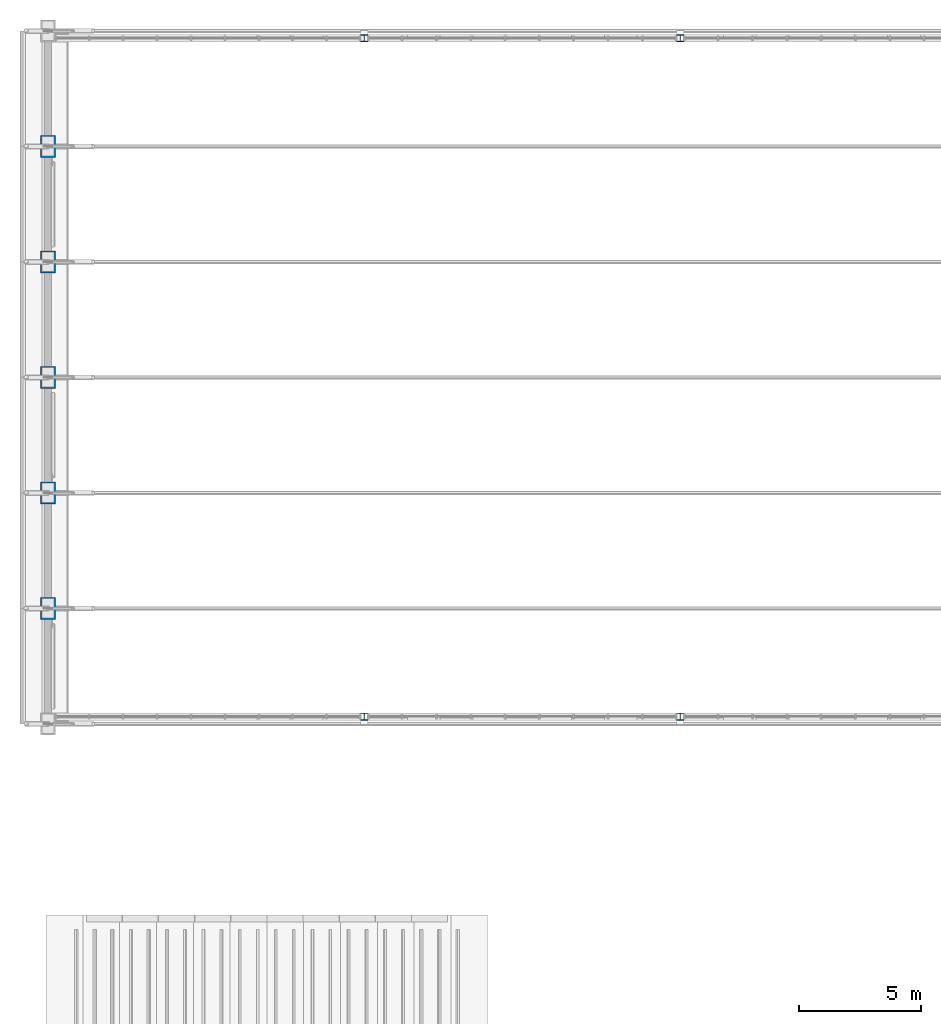
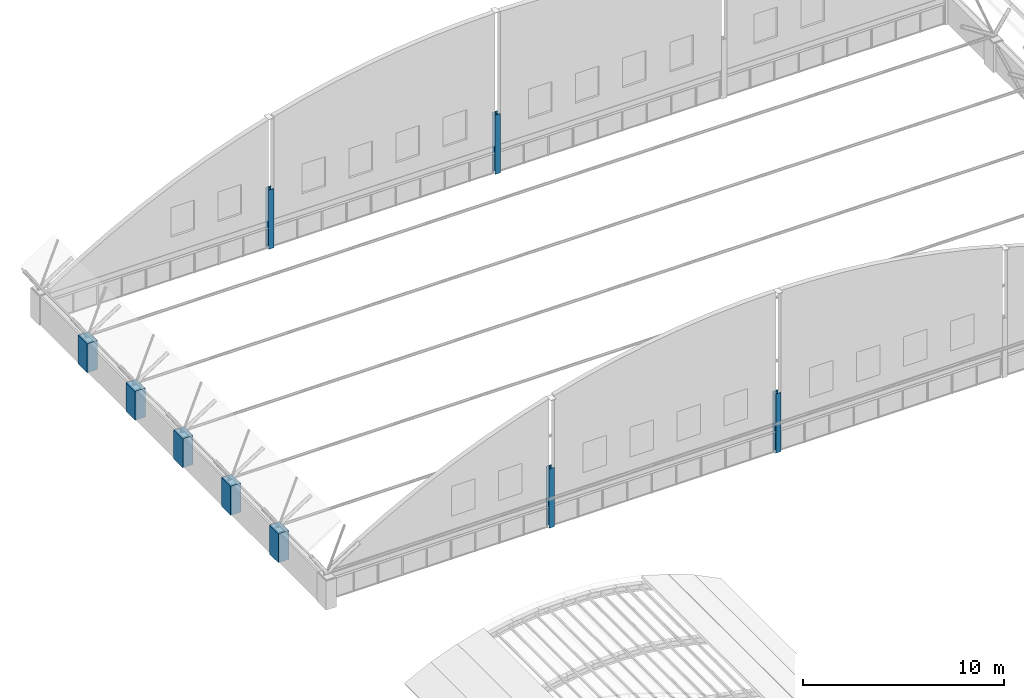
# One storey, part 2 of 65: 9 columns.
"""IFC4 building model written with IfcOpenShell, lengths in metres."""

import ifcopenshell
import ifcopenshell.guid

model = None  # the IFC model being written
_history = None  # IfcOwnerHistory: only IFC2X3 demands one
_inside = {}  # id of a spatial element -> (the spatial element, [elements in it])
_under = {}  # id of a project, library or spatial element -> (it, [spatial elements below it])
_declared = {}  # id of a project -> (the project, [libraries it declares])
_typed = {}  # id of a type object -> (the type object, [elements of that type])
_made_of = {}  # id of a material, layer set ... -> (it, [elements and type objects made of it])


def new_model(schema):
    """Start an empty IFC model of exactly this schema.

    Asked for "IFC4X3", IfcOpenShell would pick the latest addendum, in which some entities
    have other attributes; the version numbers below select the first issue.
    IFC2X3 requires an IfcOwnerHistory on every rooted entity: one is made here for all.
    """
    global model, _history
    if schema == "IFC4X3":
        model = ifcopenshell.file(schema_version=(4, 3, 0, 0))
    else:
        model = ifcopenshell.file(schema=schema)
    _inside.clear()
    _under.clear()
    _declared.clear()
    _typed.clear()
    _made_of.clear()
    _history = None
    if model.schema == "IFC2X3":
        org = make("IfcOrganization", Name="unknown")
        user = make(
            "IfcPersonAndOrganization",
            ThePerson=make("IfcPerson", FamilyName="unknown"),
            TheOrganization=org,
        )
        app = make(
            "IfcApplication",
            ApplicationDeveloper=org,
            Version="unknown",
            ApplicationFullName="unknown",
            ApplicationIdentifier="unknown",
        )
        _history = make(
            "IfcOwnerHistory",
            OwningUser=user,
            OwningApplication=app,
            ChangeAction="ADDED",
            CreationDate=0,
        )
    return model


def make(cls, **values):
    """One entity of the class cls with the attributes given. An attribute that is None is left unset."""
    return model.create_entity(
        cls, **{name: value for name, value in values.items() if value is not None}
    )


def rooted(cls, **values):
    """An entity with a GlobalId (a new one), such as an element, a storey or a relation."""
    return make(cls, GlobalId=ifcopenshell.guid.new(), OwnerHistory=_history, **values)


def si_unit(unit_type, name, prefix=None):
    """IfcSIUnit, for example si_unit("LENGTHUNIT", "METRE", prefix="MILLI")."""
    return make("IfcSIUnit", UnitType=unit_type, Prefix=prefix, Name=name)


def assignment(units):
    """IfcUnitAssignment: the units of a project."""
    return None if units is None else make("IfcUnitAssignment", Units=units)


def point(xyz):
    """IfcCartesianPoint."""
    return None if xyz is None else make("IfcCartesianPoint", Coordinates=xyz)


def direction(xyz):
    """IfcDirection."""
    return None if xyz is None else make("IfcDirection", DirectionRatios=xyz)


def frame(location, z_axis=None, x_axis=None):
    """IfcAxis2Placement3D, a coordinate frame: its origin and axes. An axis left out is left unset."""
    return make(
        "IfcAxis2Placement3D",
        Location=point(location),
        Axis=direction(z_axis),
        RefDirection=direction(x_axis),
    )


def frame_2d(location, x_axis=None):
    """IfcAxis2Placement2D, a coordinate frame in the plane: its origin and x axis."""
    return make(
        "IfcAxis2Placement2D", Location=point(location), RefDirection=direction(x_axis)
    )


def origin():
    """The frame at (0, 0, 0) with its axes left unset."""
    return frame((0.0, 0.0, 0.0))


def origin_2d():
    """The frame at (0, 0) in the plane with its x axis left unset."""
    return frame_2d((0.0, 0.0))


def place(relative_to, where):
    """IfcLocalPlacement: puts the frame where relative to a parent placement (None: the world)."""
    return make(
        "IfcLocalPlacement", PlacementRelTo=relative_to, RelativePlacement=where
    )


def context(
    kind, dimensions, precision=None, world=None, true_north=None, identifier=None
):
    """IfcGeometricRepresentationContext, for example the 3D "Model" context."""
    return make(
        "IfcGeometricRepresentationContext",
        ContextIdentifier=identifier,
        ContextType=kind,
        CoordinateSpaceDimension=dimensions,
        Precision=precision,
        WorldCoordinateSystem=world,
        TrueNorth=true_north,
    )


def subcontext(parent, identifier, kind, view, scale=None):
    """IfcGeometricRepresentationSubContext, for example "Body" below "Model"."""
    return make(
        "IfcGeometricRepresentationSubContext",
        ContextIdentifier=identifier,
        ContextType=kind,
        ParentContext=parent,
        TargetScale=scale,
        TargetView=view,
    )


def project(units=None, contexts=None):
    """IfcProject with its units and contexts."""
    return rooted(
        "IfcProject",
        Name="project",
        RepresentationContexts=contexts,
        UnitsInContext=assignment(units),
    )


def spatial(cls, under=None, at=None, **own):
    """A site, building, storey or space (cls), placed at a placement, below another one or the project."""
    s = rooted(cls, ObjectPlacement=at, **own)
    if under is not None:
        _under.setdefault(under.id(), (under, []))[1].append(s)
    return s


def profile(cls, at=None, kind="AREA", **sizes):
    """A parametric profile (cls). Its sizes go by their IFC names, for example OverallWidth=200.0."""
    return make(cls, ProfileType=kind, Position=at, **sizes)


def rectangle(**sizes):
    """IfcRectangleProfileDef."""
    return profile("IfcRectangleProfileDef", **sizes)


def i_section(**sizes):
    """IfcIShapeProfileDef."""
    return profile("IfcIShapeProfileDef", **sizes)


def extrude(swept, where, along, depth):
    """IfcExtrudedAreaSolid: the profile swept, set in the frame where, extruded along a direction by depth."""
    return make(
        "IfcExtrudedAreaSolid",
        SweptArea=swept,
        Position=where,
        ExtrudedDirection=direction(along),
        Depth=depth,
    )


def shape(context_of_items, identifier, shape_type, items):
    """IfcShapeRepresentation: the items that make up one representation, for example the "Body"."""
    return make(
        "IfcShapeRepresentation",
        ContextOfItems=context_of_items,
        RepresentationIdentifier=identifier,
        RepresentationType=shape_type,
        Items=items,
    )


def material(Name=None, Category=None):
    """IfcMaterial."""
    return make("IfcMaterial", Name=Name, Category=Category)


def material_profile(
    of_material, cross_section, Name=None, Category=None, Priority=None
):
    """IfcMaterialProfile: a cross section and its material."""
    return make(
        "IfcMaterialProfile",
        Name=Name,
        Material=of_material,
        Profile=cross_section,
        Priority=Priority,
        Category=Category,
    )


def profile_set(profiles, Name=None, composite=None):
    """IfcMaterialProfileSet."""
    return make(
        "IfcMaterialProfileSet",
        Name=Name,
        MaterialProfiles=profiles,
        CompositeProfile=composite,
    )


def made_of(thing, what):
    """Note that an element or type object is made of a material, layer set ...; save() writes the relation."""
    if what is not None:
        _made_of.setdefault(what.id(), (what, []))[1].append(thing)
    return thing


def type_object(cls, material=None, **own):
    """A type object (cls), such as IfcWallType, which elements share."""
    return made_of(rooted(cls, **own), material)


def element(
    cls,
    number,
    at=None,
    inside=None,
    cuts=None,
    type_object=None,
    material=None,
    context=None,
    identifier="Body",
    shape_type=None,
    held_by="IfcProductDefinitionShape",
    body=None,
    shapes=None,
    **own,
):
    """One element of the class cls, such as IfcWall. Its Tag is "e" and its number.

    at: its placement. inside: the storey or other place that contains it. cuts: it is an
    opening in that element (IfcRelVoidsElement). A single representation is given by context,
    identifier, shape_type and body (its items); several are given by shapes. held_by: the class
    of the entity that holds the representations. save() writes the other relations.
    """
    e = rooted(cls, Tag="e%d" % number, ObjectPlacement=at, **own)
    if body is not None:
        shapes = [shape(context, identifier, shape_type, body)]
    if shapes is not None:
        e.Representation = make(held_by, Representations=shapes)
    if inside is not None:
        _inside.setdefault(inside.id(), (inside, []))[1].append(e)
    if cuts is not None:
        rooted(
            "IfcRelVoidsElement", RelatingBuildingElement=cuts, RelatedOpeningElement=e
        )
    if type_object is not None:
        _typed.setdefault(type_object.id(), (type_object, []))[1].append(e)
    return made_of(e, material)


def aggregate(whole, parts):
    """IfcRelAggregates: a whole, such as a stair, and the parts it consists of."""
    return rooted("IfcRelAggregates", RelatingObject=whole, RelatedObjects=parts)


def save(model, path):
    """Write the relations noted so far, then the file.

    IfcRelAggregates (storeys below a building ...), IfcRelContainedInSpatialStructure (elements
    in a storey), IfcRelDefinesByType, IfcRelAssociatesMaterial and IfcRelDeclares: one each for
    every whole, place, type object, material and project.
    """
    for whole, parts in _under.values():
        aggregate(whole, parts)
    for where, things in _inside.values():
        rooted(
            "IfcRelContainedInSpatialStructure",
            RelatedElements=things,
            RelatingStructure=where,
        )
    for kind, things in _typed.values():
        rooted("IfcRelDefinesByType", RelatedObjects=things, RelatingType=kind)
    for what, things in _made_of.values():
        rooted("IfcRelAssociatesMaterial", RelatedObjects=things, RelatingMaterial=what)
    for by, libraries in _declared.values():
        rooted("IfcRelDeclares", RelatingContext=by, RelatedDefinitions=libraries)
    model.write(path)


model = new_model("IFC4")

# Units and contexts
model_context = context("Model", 3, precision=1e-05, world=origin(), true_north=direction((0.0, 1.0)))
body_context = subcontext(model_context, "Body", "Model", "MODEL_VIEW")
ifc_project = project(units=[si_unit("LENGTHUNIT", "METRE"), si_unit("AREAUNIT", "SQUARE_METRE"), si_unit("VOLUMEUNIT", "CUBIC_METRE"), si_unit("PLANEANGLEUNIT", "RADIAN"), si_unit("MASSUNIT", "GRAM", prefix="KILO")], contexts=[model_context])

# Site, building, storey
site_placement = place(None, origin())
site = spatial("IfcSite", under=ifc_project, at=site_placement, CompositionType="ELEMENT")
building_placement = place(site_placement, origin())
building = spatial("IfcBuilding", under=site, at=building_placement, Name="Elbe Cascade School", CompositionType="ELEMENT")
storey_placement = place(building_placement, frame((0.0, 0.0, 11.699951171875)))
storey = spatial("IfcBuildingStorey", under=building, at=storey_placement, Name="L03", CompositionType="ELEMENT", Elevation=11.699951171875)

# Columns
ifc_material_1 = material(Name="Steel S355J2", Category="steel")
ifc_material_profile_1 = material_profile(ifc_material_1, i_section(OverallWidth=0.300048828125, OverallDepth=0.300048828125, WebThickness=0.010986328125, FlangeThickness=0.01904296875, FilletRadius=0.027099609375, at=origin_2d()), Name="HEB 300")
ifc_profile_set_1 = profile_set([ifc_material_profile_1], Name="Steel S355J2")
column_type_1 = type_object("IfcColumnType", Name="Hall gable post HEB 300", PredefinedType="COLUMN", material=ifc_profile_set_1)
for number, where, z_axis, x_axis, name in (
    (1, (21.0, 41.300048828125, 0.0), (0.0, 0.0, 1.0), (1.0, 0.0, 0.0), "Gable post S21"),
    (2, (34.0, 41.300048828125, 0.0), (0.0, 0.0, 1.0), (1.0, 0.0, 0.0), "Gable post S34"),
    (3, (21.0, 69.199951171875, 0.0), (0.0, 0.0, 1.0), (1.0, 0.0, 0.0), "Gable post N21"),
    (4, (34.0, 69.199951171875, 0.0), (0.0, 0.0, 1.0), (1.0, 0.0, 0.0), "Gable post N34"),
):
    element("IfcColumn", number, at=place(storey_placement, frame(where, z_axis=z_axis, x_axis=x_axis)), inside=storey, type_object=column_type_1, Name=name, PredefinedType="COLUMN", context=body_context, shape_type="SweptSolid", body=[
        extrude(i_section(OverallWidth=0.300048828125, OverallDepth=0.300048828125, WebThickness=0.010986328125, FlangeThickness=0.01904296875, FilletRadius=0.027099609375, at=origin_2d()), origin(), (0.0, 0.0, 1.0), 3.60009765625),
    ])
ifc_material_2 = material(Name="Concrete C30/37", Category="concrete")
ifc_material_profile_2 = material_profile(ifc_material_2, rectangle(XDim=0.60009765625, YDim=0.89990234375, at=origin_2d()), Name="RC 600x900")
ifc_profile_set_2 = profile_set([ifc_material_profile_2], Name="Concrete C30/37")
column_type_2 = type_object("IfcColumnType", Name="Hall pilaster RC 600x900", PredefinedType="COLUMN", material=ifc_profile_set_2)
for number, where, z_axis, x_axis, name in (
    (5, (8.0, 45.75, 0.0), (0.0, 0.0, 1.0), (1.0, 0.0, 0.0), "Pilaster W2"),
    (6, (8.0, 50.5, 0.0), (0.0, 0.0, 1.0), (1.0, 0.0, 0.0), "Pilaster W3"),
    (7, (8.0, 55.25, 0.0), (0.0, 0.0, 1.0), (1.0, 0.0, 0.0), "Pilaster W4"),
    (8, (8.0, 60.0, 0.0), (0.0, 0.0, 1.0), (1.0, 0.0, 0.0), "Pilaster W5"),
    (9, (8.0, 64.75, 0.0), (0.0, 0.0, 1.0), (1.0, 0.0, 0.0), "Pilaster W6"),
):
    element("IfcColumn", number, at=place(storey_placement, frame(where, z_axis=z_axis, x_axis=x_axis)), inside=storey, type_object=column_type_2, Name=name, PredefinedType="COLUMN", context=body_context, shape_type="SweptSolid", body=[
        extrude(rectangle(XDim=0.60009765625, YDim=0.89990234375, at=origin_2d()), origin(), (0.0, 0.0, 1.0), 1.75),
    ])

save(model, "model.ifc")
